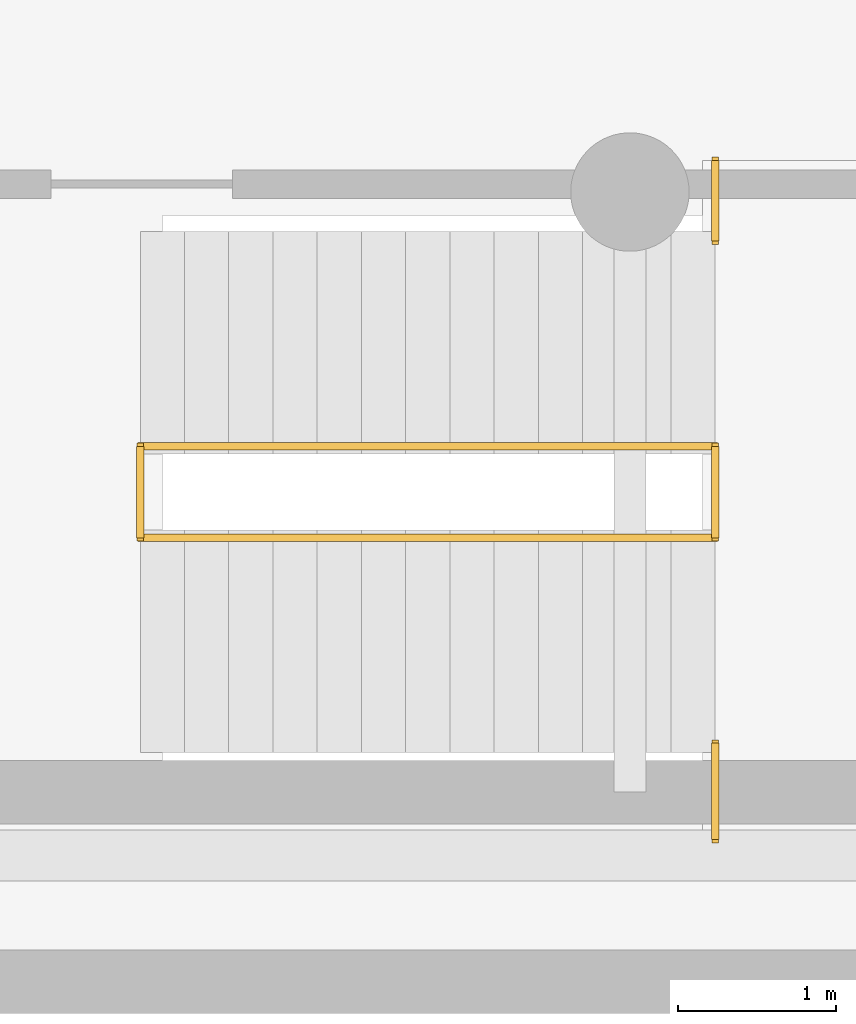
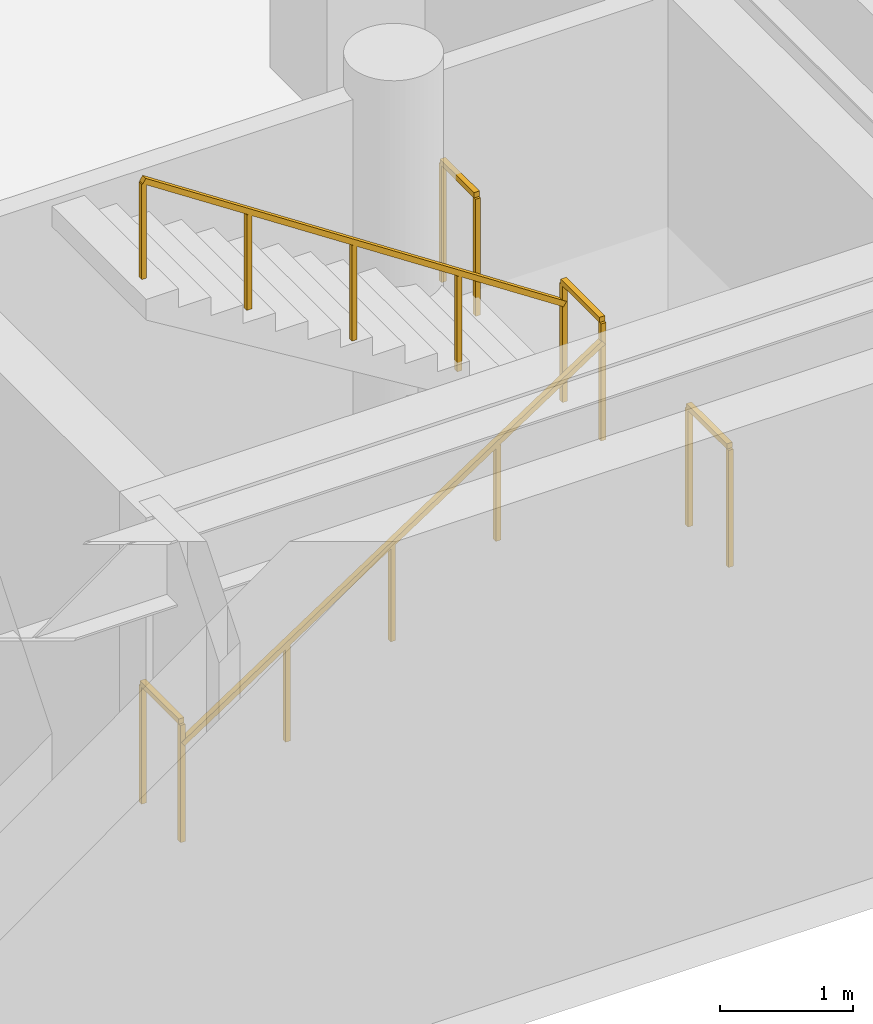
# One storey, part 40 of 40: 6 railings.
"""IFC4 building model written with IfcOpenShell, lengths in metres."""

from ifc_helpers import new_model, si_unit, direction, frame, origin, origin_2d, place, context, subcontext, project, spatial, rectangle, extrude, material, type_object, element, save


model = new_model("IFC4")

# Units and contexts
model_context = context("Model", 3, precision=1e-05, world=origin(), true_north=direction((0.0, 1.0)))
body_context = subcontext(model_context, "Body", "Model", "MODEL_VIEW")
ifc_project = project(units=[si_unit("LENGTHUNIT", "METRE"), si_unit("AREAUNIT", "SQUARE_METRE"), si_unit("VOLUMEUNIT", "CUBIC_METRE"), si_unit("PLANEANGLEUNIT", "RADIAN"), si_unit("MASSUNIT", "GRAM", prefix="KILO")], contexts=[model_context])

# Site, building, storey
site_placement = place(None, origin())
site = spatial("IfcSite", under=ifc_project, at=site_placement, CompositionType="ELEMENT")
building_placement = place(site_placement, origin())
building = spatial("IfcBuilding", under=site, at=building_placement, Name="Kazevale Care Tower and Concert Hall", CompositionType="ELEMENT")
storey_placement = place(building_placement, frame((0.0, 0.0, 9.60009765625)))
storey = spatial("IfcBuildingStorey", under=building, at=storey_placement, Name="L02", CompositionType="ELEMENT", Elevation=9.60009765625)

# Railings
ifc_material = material(Name="Stainless Steel 316", Category="steel")
railing_type_1 = type_object("IfcRailingType", Name="Stair Pitch Handrail 920", PredefinedType="HANDRAIL", material=ifc_material)
railing_1_placement = place(storey_placement, frame((138.949951171875, 17.010009765625, 0.0)))
element("IfcRailing", 1, at=railing_1_placement, inside=storey, type_object=railing_type_1, Name="stair:L02:ST5:hr1", PredefinedType="HANDRAIL", context=body_context, shape_type="SweptSolid", body=[
    extrude(rectangle(XDim=0.048095703125, YDim=0.048095703125, at=origin_2d()), frame((0.0, 0.0, 0.89599609375), z_axis=(0.83488217925, 0.0, 0.55042869363), x_axis=(0.0, 1.0, 0.0)), (0.0, 0.0, 1.0), 4.360107421875),
    extrude(rectangle(XDim=0.0419921875, YDim=0.0419921875, at=origin_2d()), origin(), (0.0, 0.0, 1.0), 0.871826171875),
    extrude(rectangle(XDim=0.0419921875, YDim=0.0419921875, at=origin_2d()), frame((0.91015625, 0.0, 0.60009765625)), (0.0, 0.0, 1.0), 0.871826171875),
    extrude(rectangle(XDim=0.0419921875, YDim=0.0419921875, at=origin_2d()), frame((1.820068359375, 0.0, 1.199951171875)), (0.0, 0.0, 1.0), 0.871826171875),
    extrude(rectangle(XDim=0.0419921875, YDim=0.0419921875, at=origin_2d()), frame((2.72998046875, 0.0, 1.7998046875)), (0.0, 0.0, 1.0), 0.871826171875),
    extrude(rectangle(XDim=0.0419921875, YDim=0.0419921875, at=origin_2d()), frame((3.64013671875, 0.0, 2.39990234375)), (0.0, 0.0, 1.0), 0.871826171875),
])
railing_2_placement = place(storey_placement, frame((142.590087890625, 17.590087890625, 2.39990234375)))
element("IfcRailing", 2, at=railing_2_placement, inside=storey, type_object=railing_type_1, Name="stair:L02:ST5:hr2", PredefinedType="HANDRAIL", context=body_context, shape_type="SweptSolid", body=[
    extrude(rectangle(XDim=0.048095703125, YDim=0.048095703125, at=origin_2d()), frame((0.0, 0.0, 0.89599609375), z_axis=(-0.83488217925, 0.0, 0.55042869363), x_axis=(0.0, -1.0, 0.0)), (0.0, 0.0, 1.0), 4.360107421875),
    extrude(rectangle(XDim=0.0419921875, YDim=0.0419921875, at=origin_2d()), origin(), (0.0, 0.0, 1.0), 0.871826171875),
    extrude(rectangle(XDim=0.0419921875, YDim=0.0419921875, at=origin_2d()), frame((-0.91015625, 0.0, 0.60009765625)), (0.0, 0.0, 1.0), 0.871826171875),
    extrude(rectangle(XDim=0.0419921875, YDim=0.0419921875, at=origin_2d()), frame((-1.820068359375, 0.0, 1.199951171875)), (0.0, 0.0, 1.0), 0.871826171875),
    extrude(rectangle(XDim=0.0419921875, YDim=0.0419921875, at=origin_2d()), frame((-2.72998046875, 0.0, 1.7998046875)), (0.0, 0.0, 1.0), 0.871826171875),
    extrude(rectangle(XDim=0.0419921875, YDim=0.0419921875, at=origin_2d()), frame((-3.64013671875, 0.0, 2.39990234375)), (0.0, 0.0, 1.0), 0.871826171875),
])
railing_type_2 = type_object("IfcRailingType", Name="Stair Well Guard Balustrade 1120", PredefinedType="BALUSTRADE", material=ifc_material)
railing_3_placement = place(storey_placement, frame((142.590087890625, 15.10009765625, 2.39990234375)))
element("IfcRailing", 3, at=railing_3_placement, inside=storey, type_object=railing_type_2, Name="stair:L02:ST5:grd_side1", PredefinedType="BALUSTRADE", context=body_context, shape_type="SweptSolid", body=[
    extrude(rectangle(XDim=0.048095703125, YDim=0.048095703125, at=origin_2d()), frame((0.0, 0.0, 1.09619140625), z_axis=(0.0, 1.0, 0.0), x_axis=(-1.0, 0.0, 0.0)), (0.0, 0.0, 1.0), 0.60986328125),
    extrude(rectangle(XDim=0.0419921875, YDim=0.0419921875, at=origin_2d()), origin(), (0.0, 0.0, 1.0), 1.072021484375),
    extrude(rectangle(XDim=0.0419921875, YDim=0.0419921875, at=origin_2d()), frame((0.0, 0.60986328125, 0.0)), (0.0, 0.0, 1.0), 1.072021484375),
])
railing_4_placement = place(storey_placement, frame((142.590087890625, 18.889892578125, 2.39990234375)))
element("IfcRailing", 4, at=railing_4_placement, inside=storey, type_object=railing_type_2, Name="stair:L02:ST5:grd_side2", PredefinedType="BALUSTRADE", context=body_context, shape_type="SweptSolid", body=[
    extrude(rectangle(XDim=0.048095703125, YDim=0.048095703125, at=origin_2d()), frame((0.0, 0.0, 1.09619140625), z_axis=(0.0, 1.0, 0.0), x_axis=(-1.0, 0.0, 0.0)), (0.0, 0.0, 1.0), 0.510009765625),
    extrude(rectangle(XDim=0.0419921875, YDim=0.0419921875, at=origin_2d()), origin(), (0.0, 0.0, 1.0), 1.072021484375),
    extrude(rectangle(XDim=0.0419921875, YDim=0.0419921875, at=origin_2d()), frame((0.0, 0.510009765625, 0.0)), (0.0, 0.0, 1.0), 1.072021484375),
])
for number, where, name in (
    (5, (142.590087890625, 17.010009765625, 2.39990234375), "stair:L02:ST5:grd_mid"),
    (6, (138.949951171875, 17.010009765625, 0.0), "stair:L02:ST5:grd_flr"),
):
    element("IfcRailing", number, at=place(storey_placement, frame(where)), inside=storey, type_object=railing_type_2, Name=name, PredefinedType="BALUSTRADE", context=body_context, shape_type="SweptSolid", body=[
        extrude(rectangle(XDim=0.048095703125, YDim=0.048095703125, at=origin_2d()), frame((0.0, 0.0, 1.09619140625), z_axis=(0.0, 1.0, 0.0), x_axis=(-1.0, 0.0, 0.0)), (0.0, 0.0, 1.0), 0.580078125),
        extrude(rectangle(XDim=0.0419921875, YDim=0.0419921875, at=origin_2d()), origin(), (0.0, 0.0, 1.0), 1.072021484375),
        extrude(rectangle(XDim=0.0419921875, YDim=0.0419921875, at=origin_2d()), frame((0.0, 0.580078125, 0.0)), (0.0, 0.0, 1.0), 1.072021484375),
    ])

save(model, "model.ifc")
